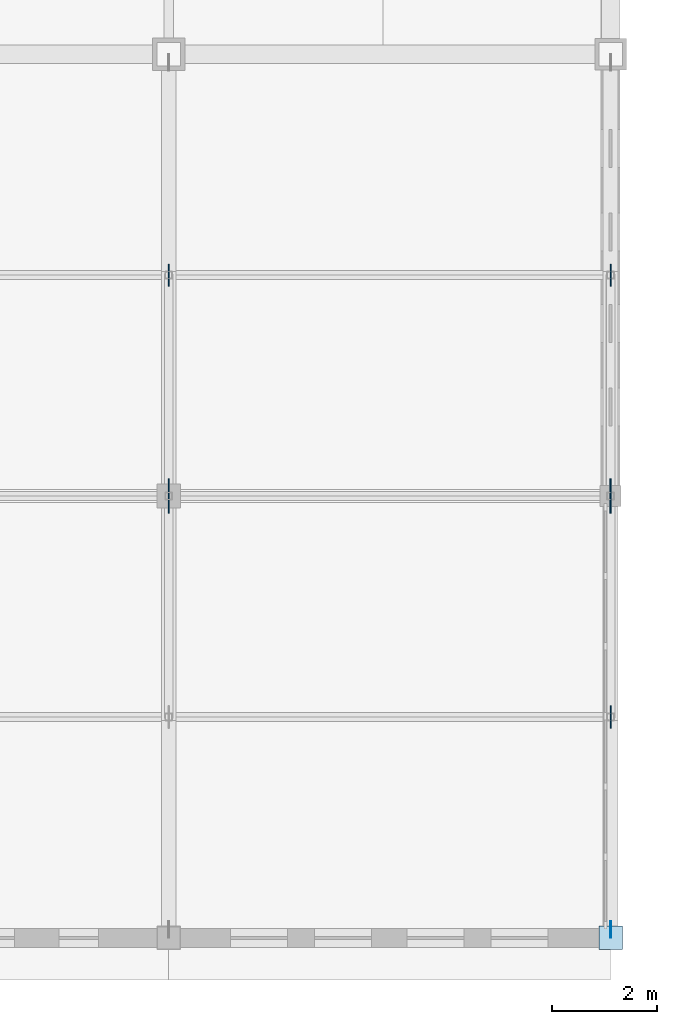
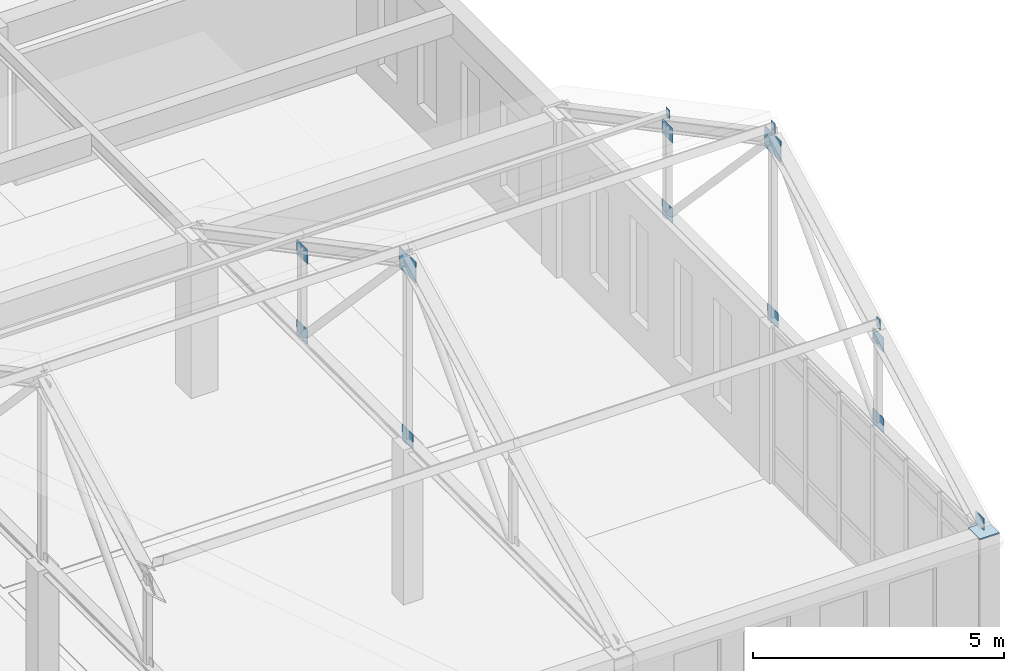
# One storey, part 29 of 47: 15 plates.
"""IFC4 building model written with IfcOpenShell, lengths in metres."""

from ifc_helpers import new_model, si_unit, direction, frame, origin, origin_2d, place, context, subcontext, project, spatial, rectangle, extrude, material, layer, layer_set, type_object, element, save


model = new_model("IFC4")

# Units and contexts
model_context = context("Model", 3, precision=1e-05, world=origin(), true_north=direction((0.0, 1.0)))
body_context = subcontext(model_context, "Body", "Model", "MODEL_VIEW")
ifc_project = project(units=[si_unit("LENGTHUNIT", "METRE"), si_unit("AREAUNIT", "SQUARE_METRE"), si_unit("VOLUMEUNIT", "CUBIC_METRE"), si_unit("PLANEANGLEUNIT", "RADIAN"), si_unit("MASSUNIT", "GRAM", prefix="KILO")], contexts=[model_context])

# Site, building, storey
site_placement = place(None, origin())
site = spatial("IfcSite", under=ifc_project, at=site_placement, CompositionType="ELEMENT")
building_placement = place(site_placement, origin())
building = spatial("IfcBuilding", under=site, at=building_placement, Name="Kveldsbrygga Polytechnic", CompositionType="ELEMENT")
storey_placement = place(building_placement, frame((0.0, 0.0, 13.93994140625)))
storey = spatial("IfcBuildingStorey", under=building, at=storey_placement, Name="L03", CompositionType="ELEMENT", Elevation=13.93994140625)

# Plates
ifc_material = material(Name="Steel S355", Category="steel")
ifc_layer_1 = layer(ifc_material, 0.030029296875)
ifc_layer_set_1 = layer_set([ifc_layer_1], Name="Steel S355")
plate_type_1 = type_object("IfcPlateType", Name="CAP-BEAR-450", PredefinedType="SHEET", material=ifc_layer_set_1)
plate_1_placement = place(storey_placement, frame((168.0, 0.0, 3.75), z_axis=(0.0, 0.0, 1.0), x_axis=(1.0, 0.0, 0.0)))
element("IfcPlate", 1, at=plate_1_placement, inside=storey, type_object=plate_type_1, Name="Truss Bearing Plate V4S4-T06-A", PredefinedType="SHEET", context=body_context, shape_type="SweptSolid", body=[
    extrude(rectangle(XDim=0.449951171875, YDim=0.449951171875, at=origin_2d()), origin(), (0.0, 0.0, 1.0), 0.030029296875),
])
ifc_layer_2 = layer(ifc_material, 0.011962890625)
ifc_layer_set_2 = layer_set([ifc_layer_2], Name="Steel S355")
plate_type_2 = type_object("IfcPlateType", Name="CAP-PRL-200", PredefinedType="SHEET", material=ifc_layer_set_2)
for number, where, z_axis, x_axis, name in (
    (2, (168.006103515625, 4.199951171875, 6.1455078125), (0.0, 0.0, 1.0), (1.0, 0.0, 0.0), "Purlin End Cap Plate V4S4-EP-B-1"),
    (3, (168.006103515625, 8.39990234375, 8.3701171875), (0.0, 0.0, 1.0), (1.0, 0.0, 0.0), "Purlin End Cap Plate V4S4-EP-B-2"),
    (4, (168.006103515625, 12.60009765625, 6.1455078125), (0.0, 0.0, 1.0), (1.0, 0.0, 0.0), "Purlin End Cap Plate V4S4-EP-B-3"),
):
    element("IfcPlate", number, at=place(storey_placement, frame(where, z_axis=z_axis, x_axis=x_axis)), inside=storey, type_object=plate_type_2, Name=name, PredefinedType="SHEET", context=body_context, shape_type="SweptSolid", body=[
        extrude(rectangle(XDim=0.011962890625, YDim=0.139892578125, at=origin_2d()), origin(), (0.0, 0.0, 1.0), 0.239990234375),
    ])
ifc_layer_3 = layer(ifc_material, 0.02490234375)
ifc_layer_set_3 = layer_set([ifc_layer_3], Name="Steel S355")
plate_type_3 = type_object("IfcPlateType", Name="GUS-APEX-650", PredefinedType="SHEET", material=ifc_layer_set_3)
for number, where, z_axis, x_axis, name in (
    (5, (159.60009765625, 8.39990234375, 7.830078125), (0.0, 0.0, 1.0), (1.0, 0.0, 0.0), "Truss Gusset Plate V4S4-T05-GP-2"),
    (6, (168.0, 8.39990234375, 7.830078125), (0.0, 0.0, 1.0), (1.0, 0.0, 0.0), "Truss Gusset Plate V4S4-T06-GP-2"),
):
    element("IfcPlate", number, at=place(storey_placement, frame(where, z_axis=z_axis, x_axis=x_axis)), inside=storey, type_object=plate_type_3, Name=name, PredefinedType="SHEET", context=body_context, shape_type="SweptSolid", body=[
        extrude(rectangle(XDim=0.02490234375, YDim=0.64990234375, at=origin_2d()), origin(), (0.0, 0.0, 1.0), 0.5),
    ])
ifc_layer_4 = layer(ifc_material, 0.01806640625)
ifc_layer_set_4 = layer_set([ifc_layer_4], Name="Steel S355")
plate_type_4 = type_object("IfcPlateType", Name="GUS-BRACE-320", PredefinedType="SHEET", material=ifc_layer_set_4)
plate_2_placement = place(storey_placement, frame((168.0, 0.159912109375, 3.740234375), z_axis=(0.0, 0.0, 1.0), x_axis=(1.0, 0.0, 0.0)))
element("IfcPlate", 7, at=plate_2_placement, inside=storey, type_object=plate_type_4, Name="Truss Eaves Node Gusset V4S4-T06-EGP-A", PredefinedType="SHEET", context=body_context, shape_type="SweptSolid", body=[
    extrude(rectangle(XDim=0.01806640625, YDim=0.320068359375, at=origin_2d()), origin(), (0.0, 0.0, 1.0), 0.320068359375),
])
ifc_layer_5 = layer(ifc_material, 0.02001953125)
ifc_layer_set_5 = layer_set([ifc_layer_5], Name="Steel S355")
plate_type_5 = type_object("IfcPlateType", Name="GUS-LECT-420", PredefinedType="SHEET", material=ifc_layer_set_5)
for number, where, z_axis, x_axis, name in (
    (8, (159.60009765625, 8.39990234375, 3.72509765625), (0.0, 0.0, 1.0), (1.0, 0.0, 0.0), "Truss Bottom-Chord Node Gusset V4S4-T05-BGP-2"),
    (9, (159.60009765625, 12.60009765625, 5.679931640625), (0.0, 0.0, 1.0), (1.0, 0.0, 0.0), "Truss Gusset Plate V4S4-T05-GP-3"),
    (10, (159.60009765625, 12.60009765625, 3.72509765625), (0.0, 0.0, 1.0), (1.0, 0.0, 0.0), "Truss Bottom-Chord Node Gusset V4S4-T05-BGP-3"),
    (11, (168.0, 4.199951171875, 5.679931640625), (0.0, 0.0, 1.0), (1.0, 0.0, 0.0), "Truss Gusset Plate V4S4-T06-GP-1"),
    (12, (168.0, 4.199951171875, 3.72509765625), (0.0, 0.0, 1.0), (1.0, 0.0, 0.0), "Truss Bottom-Chord Node Gusset V4S4-T06-BGP-1"),
    (13, (168.0, 8.39990234375, 3.72509765625), (0.0, 0.0, 1.0), (1.0, 0.0, 0.0), "Truss Bottom-Chord Node Gusset V4S4-T06-BGP-2"),
    (14, (168.0, 12.60009765625, 5.679931640625), (0.0, 0.0, 1.0), (1.0, 0.0, 0.0), "Truss Gusset Plate V4S4-T06-GP-3"),
    (15, (168.0, 12.60009765625, 3.72509765625), (0.0, 0.0, 1.0), (1.0, 0.0, 0.0), "Truss Bottom-Chord Node Gusset V4S4-T06-BGP-3"),
):
    element("IfcPlate", number, at=place(storey_placement, frame(where, z_axis=z_axis, x_axis=x_axis)), inside=storey, type_object=plate_type_5, Name=name, PredefinedType="SHEET", context=body_context, shape_type="SweptSolid", body=[
        extrude(rectangle(XDim=0.02001953125, YDim=0.419921875, at=origin_2d()), origin(), (0.0, 0.0, 1.0), 0.35009765625),
    ])

save(model, "model.ifc")
